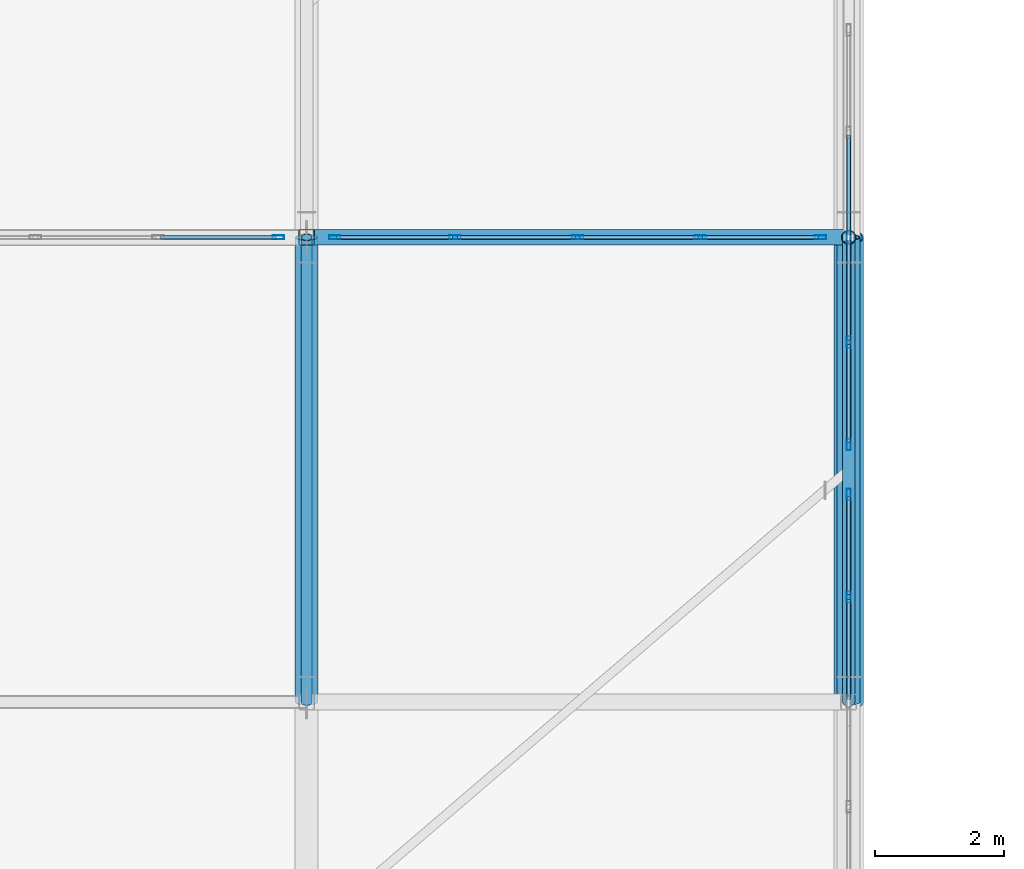
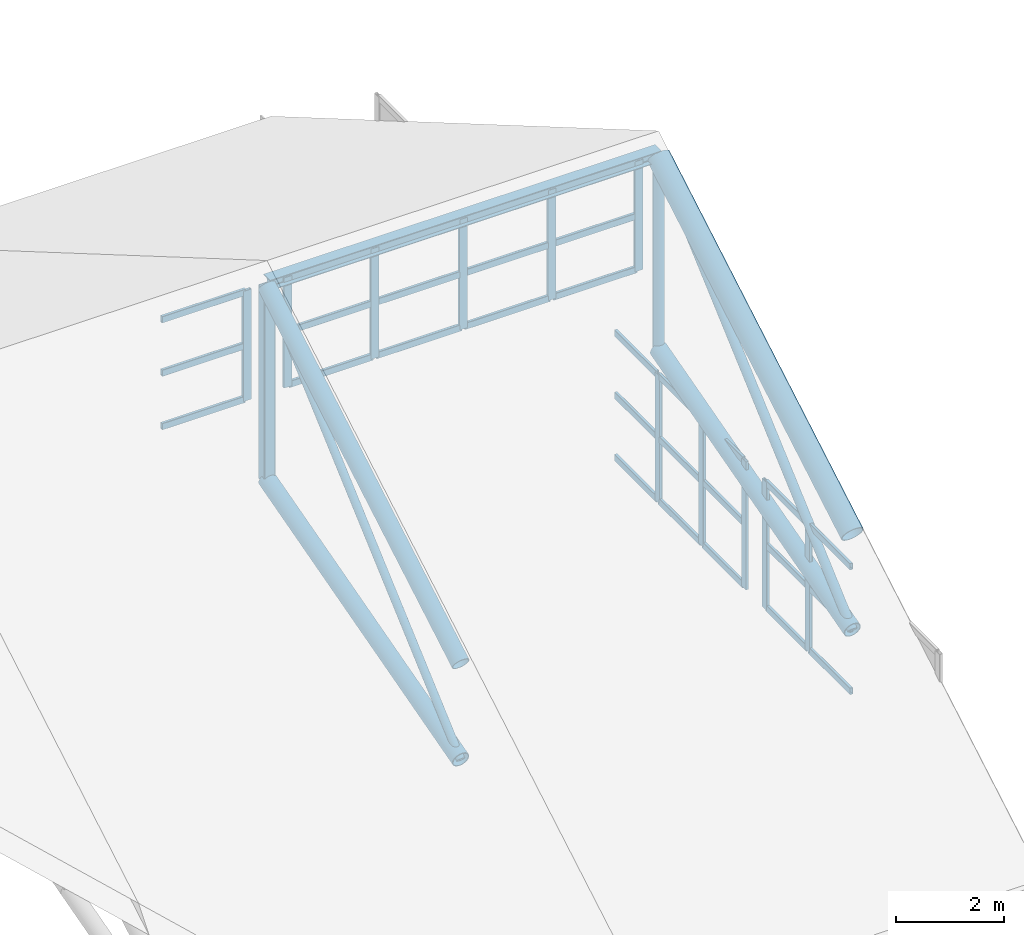
# One storey, part 22 of 54: 50 members, 4 elements without a shape of their own.
"""IFC4 building model written with IfcOpenShell, lengths in metres."""

from ifc_helpers import new_model, si_unit, direction, frame, origin, origin_2d, place, context, subcontext, project, spatial, hollow_rectangle, hollow_circle, i_section, extrude, material, layer, layer_set, material_profile, profile_set, type_object, element, aggregate, save


model = new_model("IFC4")

# Units and contexts
model_context = context("Model", 3, precision=1e-05, world=origin(), true_north=direction((0.0, 1.0)))
body_context = subcontext(model_context, "Body", "Model", "MODEL_VIEW")
ifc_project = project(units=[si_unit("LENGTHUNIT", "METRE"), si_unit("AREAUNIT", "SQUARE_METRE"), si_unit("VOLUMEUNIT", "CUBIC_METRE"), si_unit("PLANEANGLEUNIT", "RADIAN"), si_unit("MASSUNIT", "GRAM", prefix="KILO")], contexts=[model_context])

# Site, building, storey
site_placement = place(None, origin())
site = spatial("IfcSite", under=ifc_project, at=site_placement, CompositionType="ELEMENT")
building_placement = place(site_placement, origin())
building = spatial("IfcBuilding", under=site, at=building_placement, Name="Zulmaris Art Gallery", CompositionType="ELEMENT")
storey_placement = place(building_placement, frame((0.0, 0.0, 26.39990234375)))
storey = spatial("IfcBuildingStorey", under=building, at=storey_placement, Name="L05", CompositionType="ELEMENT", Elevation=26.39990234375)

# Curtain wall, members
ifc_material_1 = material(Name="Pitched Roof North-Light Clerestory Wall", Category="aluminium")
ifc_layer = layer(ifc_material_1, 0.179931640625)
ifc_layer_set = layer_set([ifc_layer], Name="Pitched Roof North-Light Clerestory Wall")
curtain_wall_type = type_object("IfcCurtainWallType", Name="CW-CW05", PredefinedType="NOTDEFINED", material=ifc_layer_set)
curtain_wall_1_placement = place(storey_placement, origin())
curtain_wall_1 = element("IfcCurtainWall", 1, at=curtain_wall_1_placement, inside=storey, type_object=curtain_wall_type, Name="L05 curtain wall 41", PredefinedType="NOTDEFINED")
ifc_material_2 = material(Name="Anodised Bronze Aluminium", Category="aluminium")
ifc_material_profile_1 = material_profile(ifc_material_2, hollow_rectangle(XDim=0.06494140625, YDim=0.179931640625, WallThickness=0.00390625, InnerFilletRadius=0.006103515625, OuterFilletRadius=0.010009765625, at=origin_2d()), Name="ALU 65x180x4")
ifc_profile_set_1 = profile_set([ifc_material_profile_1], Name="Anodised Bronze Aluminium")
member_type_1 = type_object("IfcMemberType", Name="CWMUL-01", PredefinedType="MULLION", material=ifc_profile_set_1)
member_1_placement = place(storey_placement, frame((82.800048828125, 30.425048828125, 0.0), z_axis=(0.0, 0.0, 1.0), x_axis=(-1.0, 0.0, 0.0)))
member_1 = element("IfcMember", 2, at=member_1_placement, type_object=member_type_1, Name="CW05 mullion 4", PredefinedType="MULLION", context=body_context, shape_type="SweptSolid", body=[
    extrude(hollow_rectangle(XDim=0.06494140625, YDim=0.179931640625, WallThickness=0.00390625, InnerFilletRadius=0.006103515625, OuterFilletRadius=0.010009765625, at=origin_2d()), origin(), (0.0, 0.0, 1.0), 2.900146484375),
])
member_2_placement = place(storey_placement, frame((82.800048828125, 32.012451171875, 0.0), z_axis=(0.0, 0.0, 1.0), x_axis=(-1.0, 0.0, 0.0)))
member_2 = element("IfcMember", 3, at=member_2_placement, type_object=member_type_1, Name="CW05 mullion 5", PredefinedType="MULLION", context=body_context, shape_type="SweptSolid", body=[
    extrude(hollow_rectangle(XDim=0.06494140625, YDim=0.179931640625, WallThickness=0.00390625, InnerFilletRadius=0.006103515625, OuterFilletRadius=0.010009765625, at=origin_2d()), origin(), (0.0, 0.0, 1.0), 2.900146484375),
])

curtain_wall_2_placement = place(storey_placement, origin())
curtain_wall_2 = element("IfcCurtainWall", 4, at=curtain_wall_2_placement, inside=storey, type_object=curtain_wall_type, Name="L05 curtain wall 42", PredefinedType="NOTDEFINED")
member_3_placement = place(storey_placement, frame((82.800048828125, 32.78759765625, 0.0), z_axis=(0.0, 0.0, 1.0), x_axis=(-1.0, 0.0, 0.0)))
member_3 = element("IfcMember", 5, at=member_3_placement, type_object=member_type_1, Name="CW05 mullion 1", PredefinedType="MULLION", context=body_context, shape_type="SweptSolid", body=[
    extrude(hollow_rectangle(XDim=0.06494140625, YDim=0.179931640625, WallThickness=0.00390625, InnerFilletRadius=0.006103515625, OuterFilletRadius=0.010009765625, at=origin_2d()), origin(), (0.0, 0.0, 1.0), 2.900146484375),
])
member_4_placement = place(storey_placement, frame((82.800048828125, 34.375, 0.0), z_axis=(0.0, 0.0, 1.0), x_axis=(-1.0, 0.0, 0.0)))
member_4 = element("IfcMember", 6, at=member_4_placement, type_object=member_type_1, Name="CW05 mullion 2", PredefinedType="MULLION", context=body_context, shape_type="SweptSolid", body=[
    extrude(hollow_rectangle(XDim=0.06494140625, YDim=0.179931640625, WallThickness=0.00390625, InnerFilletRadius=0.006103515625, OuterFilletRadius=0.010009765625, at=origin_2d()), origin(), (0.0, 0.0, 1.0), 2.900146484375),
])
member_5_placement = place(storey_placement, frame((82.800048828125, 36.0, 0.0), z_axis=(0.0, 0.0, 1.0), x_axis=(-1.0, 0.0, 0.0)))
member_5 = element("IfcMember", 7, at=member_5_placement, type_object=member_type_1, Name="CW05 mullion 3", PredefinedType="MULLION", context=body_context, shape_type="SweptSolid", body=[
    extrude(hollow_rectangle(XDim=0.06494140625, YDim=0.179931640625, WallThickness=0.00390625, InnerFilletRadius=0.006103515625, OuterFilletRadius=0.010009765625, at=origin_2d()), origin(), (0.0, 0.0, 1.0), 2.900146484375),
])

# Curtain wall, member
curtain_wall_3_placement = place(storey_placement, origin())
curtain_wall_3 = element("IfcCurtainWall", 8, at=curtain_wall_3_placement, inside=storey, type_object=curtain_wall_type, Name="L05 curtain wall 50", PredefinedType="NOTDEFINED")
member_6_placement = place(storey_placement, frame((73.96240234375, 36.0, 5.400146484375), z_axis=(0.0, 0.0, 1.0), x_axis=(0.0, 1.0, 0.0)))
member_6 = element("IfcMember", 9, at=member_6_placement, type_object=member_type_1, Name="CW05 mullion 5", PredefinedType="MULLION", context=body_context, shape_type="SweptSolid", body=[
    extrude(hollow_rectangle(XDim=0.06494140625, YDim=0.179931640625, WallThickness=0.00390625, InnerFilletRadius=0.006103515625, OuterFilletRadius=0.010009765625, at=origin_2d()), origin(), (0.0, 0.0, 1.0), 2.5),
])

# Curtain wall, members
curtain_wall_4_placement = place(storey_placement, origin())
curtain_wall_4 = element("IfcCurtainWall", 10, at=curtain_wall_4_placement, inside=storey, type_object=curtain_wall_type, Name="L05 curtain wall 51", PredefinedType="NOTDEFINED")
member_7_placement = place(storey_placement, frame((74.83740234375, 36.0, 5.400146484375), z_axis=(0.0, 0.0, 1.0), x_axis=(0.0, 1.0, 0.0)))
member_7 = element("IfcMember", 11, at=member_7_placement, type_object=member_type_1, Name="CW05 mullion 1", PredefinedType="MULLION", context=body_context, shape_type="SweptSolid", body=[
    extrude(hollow_rectangle(XDim=0.06494140625, YDim=0.179931640625, WallThickness=0.00390625, InnerFilletRadius=0.006103515625, OuterFilletRadius=0.010009765625, at=origin_2d()), origin(), (0.0, 0.0, 1.0), 2.5),
])
member_8_placement = place(storey_placement, frame((76.699951171875, 36.0, 5.400146484375), z_axis=(0.0, 0.0, 1.0), x_axis=(0.0, 1.0, 0.0)))
member_8 = element("IfcMember", 12, at=member_8_placement, type_object=member_type_1, Name="CW05 mullion 2", PredefinedType="MULLION", context=body_context, shape_type="SweptSolid", body=[
    extrude(hollow_rectangle(XDim=0.06494140625, YDim=0.179931640625, WallThickness=0.00390625, InnerFilletRadius=0.006103515625, OuterFilletRadius=0.010009765625, at=origin_2d()), origin(), (0.0, 0.0, 1.0), 2.5),
])
member_9_placement = place(storey_placement, frame((78.60009765625, 36.0, 5.400146484375), z_axis=(0.0, 0.0, 1.0), x_axis=(0.0, 1.0, 0.0)))
member_9 = element("IfcMember", 13, at=member_9_placement, type_object=member_type_1, Name="CW05 mullion 3", PredefinedType="MULLION", context=body_context, shape_type="SweptSolid", body=[
    extrude(hollow_rectangle(XDim=0.06494140625, YDim=0.179931640625, WallThickness=0.00390625, InnerFilletRadius=0.006103515625, OuterFilletRadius=0.010009765625, at=origin_2d()), origin(), (0.0, 0.0, 1.0), 2.5),
])
member_10_placement = place(storey_placement, frame((80.5, 36.0, 5.400146484375), z_axis=(0.0, 0.0, 1.0), x_axis=(0.0, 1.0, 0.0)))
member_10 = element("IfcMember", 14, at=member_10_placement, type_object=member_type_1, Name="CW05 mullion 4", PredefinedType="MULLION", context=body_context, shape_type="SweptSolid", body=[
    extrude(hollow_rectangle(XDim=0.06494140625, YDim=0.179931640625, WallThickness=0.00390625, InnerFilletRadius=0.006103515625, OuterFilletRadius=0.010009765625, at=origin_2d()), origin(), (0.0, 0.0, 1.0), 2.5),
])
member_11_placement = place(storey_placement, frame((82.362548828125, 36.0, 5.400146484375), z_axis=(0.0, 0.0, 1.0), x_axis=(0.0, 1.0, 0.0)))
member_11 = element("IfcMember", 15, at=member_11_placement, type_object=member_type_1, Name="CW05 mullion 5", PredefinedType="MULLION", context=body_context, shape_type="SweptSolid", body=[
    extrude(hollow_rectangle(XDim=0.06494140625, YDim=0.179931640625, WallThickness=0.00390625, InnerFilletRadius=0.006103515625, OuterFilletRadius=0.010009765625, at=origin_2d()), origin(), (0.0, 0.0, 1.0), 2.5),
])

# Member
ifc_material_profile_2 = material_profile(ifc_material_2, hollow_rectangle(XDim=0.06494140625, YDim=0.14990234375, WallThickness=0.00390625, InnerFilletRadius=0.006103515625, OuterFilletRadius=0.010009765625, at=origin_2d()), Name="ALU 65x150x4")
ifc_profile_set_2 = profile_set([ifc_material_profile_2], Name="Anodised Bronze Aluminium")
member_type_2 = type_object("IfcMemberType", Name="CWTRN-01", PredefinedType="USERDEFINED", material=ifc_profile_set_2)
member_12_placement = place(storey_placement, frame((82.800048828125, 28.83740234375, 0.03759765625), z_axis=(0.0, 1.0, 0.0), x_axis=(-1.0, 0.0, 0.0)))
member_12 = element("IfcMember", 16, at=member_12_placement, type_object=member_type_2, Name="CW05 transom 3.1", ObjectType="TRANSOM", PredefinedType="USERDEFINED", context=body_context, shape_type="SweptSolid", body=[
    extrude(hollow_rectangle(XDim=0.06494140625, YDim=0.14990234375, WallThickness=0.00390625, InnerFilletRadius=0.006103515625, OuterFilletRadius=0.010009765625, at=origin_2d()), origin(), (0.0, 0.0, 1.0), 1.550048828125),
])

member_13_placement = place(storey_placement, frame((82.800048828125, 28.83740234375, 1.4501953125), z_axis=(0.0, 1.0, 0.0), x_axis=(-1.0, 0.0, 0.0)))
member_13 = element("IfcMember", 17, at=member_13_placement, type_object=member_type_2, Name="CW05 transom 3.2", ObjectType="TRANSOM", PredefinedType="USERDEFINED", context=body_context, shape_type="SweptSolid", body=[
    extrude(hollow_rectangle(XDim=0.06494140625, YDim=0.14990234375, WallThickness=0.00390625, InnerFilletRadius=0.006103515625, OuterFilletRadius=0.010009765625, at=origin_2d()), origin(), (0.0, 0.0, 1.0), 1.550048828125),
])

member_14_placement = place(storey_placement, frame((82.800048828125, 28.83740234375, 2.862548828125), z_axis=(0.0, 1.0, 0.0), x_axis=(-1.0, 0.0, 0.0)))
member_14 = element("IfcMember", 18, at=member_14_placement, type_object=member_type_2, Name="CW05 transom 3.3", ObjectType="TRANSOM", PredefinedType="USERDEFINED", context=body_context, shape_type="SweptSolid", body=[
    extrude(hollow_rectangle(XDim=0.06494140625, YDim=0.14990234375, WallThickness=0.00390625, InnerFilletRadius=0.006103515625, OuterFilletRadius=0.010009765625, at=origin_2d()), origin(), (0.0, 0.0, 1.0), 1.550048828125),
])

member_15_placement = place(storey_placement, frame((82.800048828125, 30.46240234375, 0.03759765625), z_axis=(0.0, 1.0, 0.0), x_axis=(-1.0, 0.0, 0.0)))
member_15 = element("IfcMember", 19, at=member_15_placement, type_object=member_type_2, Name="CW05 transom 4.1", ObjectType="TRANSOM", PredefinedType="USERDEFINED", context=body_context, shape_type="SweptSolid", body=[
    extrude(hollow_rectangle(XDim=0.06494140625, YDim=0.14990234375, WallThickness=0.00390625, InnerFilletRadius=0.006103515625, OuterFilletRadius=0.010009765625, at=origin_2d()), origin(), (0.0, 0.0, 1.0), 1.5126953125),
])

member_16_placement = place(storey_placement, frame((82.800048828125, 30.46240234375, 1.4501953125), z_axis=(0.0, 1.0, 0.0), x_axis=(-1.0, 0.0, 0.0)))
member_16 = element("IfcMember", 20, at=member_16_placement, type_object=member_type_2, Name="CW05 transom 4.2", ObjectType="TRANSOM", PredefinedType="USERDEFINED", context=body_context, shape_type="SweptSolid", body=[
    extrude(hollow_rectangle(XDim=0.06494140625, YDim=0.14990234375, WallThickness=0.00390625, InnerFilletRadius=0.006103515625, OuterFilletRadius=0.010009765625, at=origin_2d()), origin(), (0.0, 0.0, 1.0), 1.5126953125),
])

member_17_placement = place(storey_placement, frame((82.800048828125, 30.46240234375, 2.862548828125), z_axis=(0.0, 1.0, 0.0), x_axis=(-1.0, 0.0, 0.0)))
member_17 = element("IfcMember", 21, at=member_17_placement, type_object=member_type_2, Name="CW05 transom 4.3", ObjectType="TRANSOM", PredefinedType="USERDEFINED", context=body_context, shape_type="SweptSolid", body=[
    extrude(hollow_rectangle(XDim=0.06494140625, YDim=0.14990234375, WallThickness=0.00390625, InnerFilletRadius=0.006103515625, OuterFilletRadius=0.010009765625, at=origin_2d()), origin(), (0.0, 0.0, 1.0), 1.5126953125),
])

aggregate(curtain_wall_1, [member_1, member_2, member_12, member_13, member_14, member_15, member_16, member_17])

member_18_placement = place(storey_placement, frame((82.800048828125, 32.824951171875, 0.03759765625), z_axis=(0.0, 1.0, 0.0), x_axis=(-1.0, 0.0, 0.0)))
member_18 = element("IfcMember", 22, at=member_18_placement, type_object=member_type_2, Name="CW05 transom 1.1", ObjectType="TRANSOM", PredefinedType="USERDEFINED", context=body_context, shape_type="SweptSolid", body=[
    extrude(hollow_rectangle(XDim=0.06494140625, YDim=0.14990234375, WallThickness=0.00390625, InnerFilletRadius=0.006103515625, OuterFilletRadius=0.010009765625, at=origin_2d()), origin(), (0.0, 0.0, 1.0), 1.512451171875),
])

member_19_placement = place(storey_placement, frame((82.800048828125, 32.824951171875, 1.4501953125), z_axis=(0.0, 1.0, 0.0), x_axis=(-1.0, 0.0, 0.0)))
member_19 = element("IfcMember", 23, at=member_19_placement, type_object=member_type_2, Name="CW05 transom 1.2", ObjectType="TRANSOM", PredefinedType="USERDEFINED", context=body_context, shape_type="SweptSolid", body=[
    extrude(hollow_rectangle(XDim=0.06494140625, YDim=0.14990234375, WallThickness=0.00390625, InnerFilletRadius=0.006103515625, OuterFilletRadius=0.010009765625, at=origin_2d()), origin(), (0.0, 0.0, 1.0), 1.512451171875),
])

member_20_placement = place(storey_placement, frame((82.800048828125, 32.824951171875, 2.862548828125), z_axis=(0.0, 1.0, 0.0), x_axis=(-1.0, 0.0, 0.0)))
member_20 = element("IfcMember", 24, at=member_20_placement, type_object=member_type_2, Name="CW05 transom 1.3", ObjectType="TRANSOM", PredefinedType="USERDEFINED", context=body_context, shape_type="SweptSolid", body=[
    extrude(hollow_rectangle(XDim=0.06494140625, YDim=0.14990234375, WallThickness=0.00390625, InnerFilletRadius=0.006103515625, OuterFilletRadius=0.010009765625, at=origin_2d()), origin(), (0.0, 0.0, 1.0), 1.512451171875),
])

member_21_placement = place(storey_placement, frame((82.800048828125, 34.41259765625, 0.03759765625), z_axis=(0.0, 1.0, 0.0), x_axis=(-1.0, 0.0, 0.0)))
member_21 = element("IfcMember", 25, at=member_21_placement, type_object=member_type_2, Name="CW05 transom 2.1", ObjectType="TRANSOM", PredefinedType="USERDEFINED", context=body_context, shape_type="SweptSolid", body=[
    extrude(hollow_rectangle(XDim=0.06494140625, YDim=0.14990234375, WallThickness=0.00390625, InnerFilletRadius=0.006103515625, OuterFilletRadius=0.010009765625, at=origin_2d()), origin(), (0.0, 0.0, 1.0), 1.5498046875),
])

member_22_placement = place(storey_placement, frame((82.800048828125, 34.41259765625, 1.4501953125), z_axis=(0.0, 1.0, 0.0), x_axis=(-1.0, 0.0, 0.0)))
member_22 = element("IfcMember", 26, at=member_22_placement, type_object=member_type_2, Name="CW05 transom 2.2", ObjectType="TRANSOM", PredefinedType="USERDEFINED", context=body_context, shape_type="SweptSolid", body=[
    extrude(hollow_rectangle(XDim=0.06494140625, YDim=0.14990234375, WallThickness=0.00390625, InnerFilletRadius=0.006103515625, OuterFilletRadius=0.010009765625, at=origin_2d()), origin(), (0.0, 0.0, 1.0), 1.5498046875),
])

member_23_placement = place(storey_placement, frame((82.800048828125, 34.41259765625, 2.862548828125), z_axis=(0.0, 1.0, 0.0), x_axis=(-1.0, 0.0, 0.0)))
member_23 = element("IfcMember", 27, at=member_23_placement, type_object=member_type_2, Name="CW05 transom 2.3", ObjectType="TRANSOM", PredefinedType="USERDEFINED", context=body_context, shape_type="SweptSolid", body=[
    extrude(hollow_rectangle(XDim=0.06494140625, YDim=0.14990234375, WallThickness=0.00390625, InnerFilletRadius=0.006103515625, OuterFilletRadius=0.010009765625, at=origin_2d()), origin(), (0.0, 0.0, 1.0), 1.5498046875),
])

member_24_placement = place(storey_placement, frame((82.800048828125, 36.03759765625, 0.03759765625), z_axis=(0.0, 1.0, 0.0), x_axis=(-1.0, 0.0, 0.0)))
member_24 = element("IfcMember", 28, at=member_24_placement, type_object=member_type_2, Name="CW05 transom 3.1", ObjectType="TRANSOM", PredefinedType="USERDEFINED", context=body_context, shape_type="SweptSolid", body=[
    extrude(hollow_rectangle(XDim=0.06494140625, YDim=0.14990234375, WallThickness=0.00390625, InnerFilletRadius=0.006103515625, OuterFilletRadius=0.010009765625, at=origin_2d()), origin(), (0.0, 0.0, 1.0), 1.5498046875),
])

member_25_placement = place(storey_placement, frame((82.800048828125, 36.03759765625, 1.4501953125), z_axis=(0.0, 1.0, 0.0), x_axis=(-1.0, 0.0, 0.0)))
member_25 = element("IfcMember", 29, at=member_25_placement, type_object=member_type_2, Name="CW05 transom 3.2", ObjectType="TRANSOM", PredefinedType="USERDEFINED", context=body_context, shape_type="SweptSolid", body=[
    extrude(hollow_rectangle(XDim=0.06494140625, YDim=0.14990234375, WallThickness=0.00390625, InnerFilletRadius=0.006103515625, OuterFilletRadius=0.010009765625, at=origin_2d()), origin(), (0.0, 0.0, 1.0), 1.5498046875),
])

member_26_placement = place(storey_placement, frame((82.800048828125, 36.03759765625, 2.862548828125), z_axis=(0.0, 1.0, 0.0), x_axis=(-1.0, 0.0, 0.0)))
member_26 = element("IfcMember", 30, at=member_26_placement, type_object=member_type_2, Name="CW05 transom 3.3", ObjectType="TRANSOM", PredefinedType="USERDEFINED", context=body_context, shape_type="SweptSolid", body=[
    extrude(hollow_rectangle(XDim=0.06494140625, YDim=0.14990234375, WallThickness=0.00390625, InnerFilletRadius=0.006103515625, OuterFilletRadius=0.010009765625, at=origin_2d()), origin(), (0.0, 0.0, 1.0), 1.5498046875),
])

aggregate(curtain_wall_2, [member_3, member_4, member_5, member_18, member_19, member_20, member_21, member_22, member_23, member_24, member_25, member_26])

member_27_placement = place(storey_placement, frame((72.137451171875, 36.0, 5.4375), z_axis=(1.0, 0.0, 0.0), x_axis=(0.0, 1.0, 0.0)))
member_27 = element("IfcMember", 31, at=member_27_placement, type_object=member_type_2, Name="CW05 transom 4.1", ObjectType="TRANSOM", PredefinedType="USERDEFINED", context=body_context, shape_type="SweptSolid", body=[
    extrude(hollow_rectangle(XDim=0.06494140625, YDim=0.14990234375, WallThickness=0.00390625, InnerFilletRadius=0.006103515625, OuterFilletRadius=0.010009765625, at=origin_2d()), origin(), (0.0, 0.0, 1.0), 1.78759765625),
])

member_28_placement = place(storey_placement, frame((72.137451171875, 36.0, 6.650146484375), z_axis=(1.0, 0.0, 0.0), x_axis=(0.0, 1.0, 0.0)))
member_28 = element("IfcMember", 32, at=member_28_placement, type_object=member_type_2, Name="CW05 transom 4.2", ObjectType="TRANSOM", PredefinedType="USERDEFINED", context=body_context, shape_type="SweptSolid", body=[
    extrude(hollow_rectangle(XDim=0.06494140625, YDim=0.14990234375, WallThickness=0.00390625, InnerFilletRadius=0.006103515625, OuterFilletRadius=0.010009765625, at=origin_2d()), origin(), (0.0, 0.0, 1.0), 1.78759765625),
])

member_29_placement = place(storey_placement, frame((72.137451171875, 36.0, 7.862548828125), z_axis=(1.0, 0.0, 0.0), x_axis=(0.0, 1.0, 0.0)))
member_29 = element("IfcMember", 33, at=member_29_placement, type_object=member_type_2, Name="CW05 transom 4.3", ObjectType="TRANSOM", PredefinedType="USERDEFINED", context=body_context, shape_type="SweptSolid", body=[
    extrude(hollow_rectangle(XDim=0.06494140625, YDim=0.14990234375, WallThickness=0.00390625, InnerFilletRadius=0.006103515625, OuterFilletRadius=0.010009765625, at=origin_2d()), origin(), (0.0, 0.0, 1.0), 1.78759765625),
])

aggregate(curtain_wall_3, [member_6, member_27, member_28, member_29])

member_30_placement = place(storey_placement, frame((74.875, 36.0, 5.4375), z_axis=(1.0, 0.0, 0.0), x_axis=(0.0, 1.0, 0.0)))
member_30 = element("IfcMember", 34, at=member_30_placement, type_object=member_type_2, Name="CW05 transom 1.1", ObjectType="TRANSOM", PredefinedType="USERDEFINED", context=body_context, shape_type="SweptSolid", body=[
    extrude(hollow_rectangle(XDim=0.06494140625, YDim=0.14990234375, WallThickness=0.00390625, InnerFilletRadius=0.006103515625, OuterFilletRadius=0.010009765625, at=origin_2d()), origin(), (0.0, 0.0, 1.0), 1.78759765625),
])

member_31_placement = place(storey_placement, frame((74.875, 36.0, 6.650146484375), z_axis=(1.0, 0.0, 0.0), x_axis=(0.0, 1.0, 0.0)))
member_31 = element("IfcMember", 35, at=member_31_placement, type_object=member_type_2, Name="CW05 transom 1.2", ObjectType="TRANSOM", PredefinedType="USERDEFINED", context=body_context, shape_type="SweptSolid", body=[
    extrude(hollow_rectangle(XDim=0.06494140625, YDim=0.14990234375, WallThickness=0.00390625, InnerFilletRadius=0.006103515625, OuterFilletRadius=0.010009765625, at=origin_2d()), origin(), (0.0, 0.0, 1.0), 1.78759765625),
])

member_32_placement = place(storey_placement, frame((74.875, 36.0, 7.862548828125), z_axis=(1.0, 0.0, 0.0), x_axis=(0.0, 1.0, 0.0)))
member_32 = element("IfcMember", 36, at=member_32_placement, type_object=member_type_2, Name="CW05 transom 1.3", ObjectType="TRANSOM", PredefinedType="USERDEFINED", context=body_context, shape_type="SweptSolid", body=[
    extrude(hollow_rectangle(XDim=0.06494140625, YDim=0.14990234375, WallThickness=0.00390625, InnerFilletRadius=0.006103515625, OuterFilletRadius=0.010009765625, at=origin_2d()), origin(), (0.0, 0.0, 1.0), 1.78759765625),
])

member_33_placement = place(storey_placement, frame((76.737548828125, 36.0, 5.4375), z_axis=(1.0, 0.0, 0.0), x_axis=(0.0, 1.0, 0.0)))
member_33 = element("IfcMember", 37, at=member_33_placement, type_object=member_type_2, Name="CW05 transom 2.1", ObjectType="TRANSOM", PredefinedType="USERDEFINED", context=body_context, shape_type="SweptSolid", body=[
    extrude(hollow_rectangle(XDim=0.06494140625, YDim=0.14990234375, WallThickness=0.00390625, InnerFilletRadius=0.006103515625, OuterFilletRadius=0.010009765625, at=origin_2d()), origin(), (0.0, 0.0, 1.0), 1.824951171875),
])

member_34_placement = place(storey_placement, frame((76.737548828125, 36.0, 6.650146484375), z_axis=(1.0, 0.0, 0.0), x_axis=(0.0, 1.0, 0.0)))
member_34 = element("IfcMember", 38, at=member_34_placement, type_object=member_type_2, Name="CW05 transom 2.2", ObjectType="TRANSOM", PredefinedType="USERDEFINED", context=body_context, shape_type="SweptSolid", body=[
    extrude(hollow_rectangle(XDim=0.06494140625, YDim=0.14990234375, WallThickness=0.00390625, InnerFilletRadius=0.006103515625, OuterFilletRadius=0.010009765625, at=origin_2d()), origin(), (0.0, 0.0, 1.0), 1.824951171875),
])

member_35_placement = place(storey_placement, frame((76.737548828125, 36.0, 7.862548828125), z_axis=(1.0, 0.0, 0.0), x_axis=(0.0, 1.0, 0.0)))
member_35 = element("IfcMember", 39, at=member_35_placement, type_object=member_type_2, Name="CW05 transom 2.3", ObjectType="TRANSOM", PredefinedType="USERDEFINED", context=body_context, shape_type="SweptSolid", body=[
    extrude(hollow_rectangle(XDim=0.06494140625, YDim=0.14990234375, WallThickness=0.00390625, InnerFilletRadius=0.006103515625, OuterFilletRadius=0.010009765625, at=origin_2d()), origin(), (0.0, 0.0, 1.0), 1.824951171875),
])

member_36_placement = place(storey_placement, frame((78.637451171875, 36.0, 5.4375), z_axis=(1.0, 0.0, 0.0), x_axis=(0.0, 1.0, 0.0)))
member_36 = element("IfcMember", 40, at=member_36_placement, type_object=member_type_2, Name="CW05 transom 3.1", ObjectType="TRANSOM", PredefinedType="USERDEFINED", context=body_context, shape_type="SweptSolid", body=[
    extrude(hollow_rectangle(XDim=0.06494140625, YDim=0.14990234375, WallThickness=0.00390625, InnerFilletRadius=0.006103515625, OuterFilletRadius=0.010009765625, at=origin_2d()), origin(), (0.0, 0.0, 1.0), 1.824951171875),
])

member_37_placement = place(storey_placement, frame((78.637451171875, 36.0, 6.650146484375), z_axis=(1.0, 0.0, 0.0), x_axis=(0.0, 1.0, 0.0)))
member_37 = element("IfcMember", 41, at=member_37_placement, type_object=member_type_2, Name="CW05 transom 3.2", ObjectType="TRANSOM", PredefinedType="USERDEFINED", context=body_context, shape_type="SweptSolid", body=[
    extrude(hollow_rectangle(XDim=0.06494140625, YDim=0.14990234375, WallThickness=0.00390625, InnerFilletRadius=0.006103515625, OuterFilletRadius=0.010009765625, at=origin_2d()), origin(), (0.0, 0.0, 1.0), 1.824951171875),
])

member_38_placement = place(storey_placement, frame((78.637451171875, 36.0, 7.862548828125), z_axis=(1.0, 0.0, 0.0), x_axis=(0.0, 1.0, 0.0)))
member_38 = element("IfcMember", 42, at=member_38_placement, type_object=member_type_2, Name="CW05 transom 3.3", ObjectType="TRANSOM", PredefinedType="USERDEFINED", context=body_context, shape_type="SweptSolid", body=[
    extrude(hollow_rectangle(XDim=0.06494140625, YDim=0.14990234375, WallThickness=0.00390625, InnerFilletRadius=0.006103515625, OuterFilletRadius=0.010009765625, at=origin_2d()), origin(), (0.0, 0.0, 1.0), 1.824951171875),
])

member_39_placement = place(storey_placement, frame((80.53759765625, 36.0, 5.4375), z_axis=(1.0, 0.0, 0.0), x_axis=(0.0, 1.0, 0.0)))
member_39 = element("IfcMember", 43, at=member_39_placement, type_object=member_type_2, Name="CW05 transom 4.1", ObjectType="TRANSOM", PredefinedType="USERDEFINED", context=body_context, shape_type="SweptSolid", body=[
    extrude(hollow_rectangle(XDim=0.06494140625, YDim=0.14990234375, WallThickness=0.00390625, InnerFilletRadius=0.006103515625, OuterFilletRadius=0.010009765625, at=origin_2d()), origin(), (0.0, 0.0, 1.0), 1.787353515625),
])

member_40_placement = place(storey_placement, frame((80.53759765625, 36.0, 6.650146484375), z_axis=(1.0, 0.0, 0.0), x_axis=(0.0, 1.0, 0.0)))
member_40 = element("IfcMember", 44, at=member_40_placement, type_object=member_type_2, Name="CW05 transom 4.2", ObjectType="TRANSOM", PredefinedType="USERDEFINED", context=body_context, shape_type="SweptSolid", body=[
    extrude(hollow_rectangle(XDim=0.06494140625, YDim=0.14990234375, WallThickness=0.00390625, InnerFilletRadius=0.006103515625, OuterFilletRadius=0.010009765625, at=origin_2d()), origin(), (0.0, 0.0, 1.0), 1.787353515625),
])

member_41_placement = place(storey_placement, frame((80.53759765625, 36.0, 7.862548828125), z_axis=(1.0, 0.0, 0.0), x_axis=(0.0, 1.0, 0.0)))
member_41 = element("IfcMember", 45, at=member_41_placement, type_object=member_type_2, Name="CW05 transom 4.3", ObjectType="TRANSOM", PredefinedType="USERDEFINED", context=body_context, shape_type="SweptSolid", body=[
    extrude(hollow_rectangle(XDim=0.06494140625, YDim=0.14990234375, WallThickness=0.00390625, InnerFilletRadius=0.006103515625, OuterFilletRadius=0.010009765625, at=origin_2d()), origin(), (0.0, 0.0, 1.0), 1.787353515625),
])

aggregate(curtain_wall_4, [member_7, member_8, member_9, member_10, member_11, member_30, member_31, member_32, member_33, member_34, member_35, member_36, member_37, member_38, member_39, member_40, member_41])

# Members
ifc_material_3 = material(Name="Steel S355J2", Category="steel")
ifc_material_profile_3 = material_profile(ifc_material_3, i_section(OverallWidth=0.239990234375, OverallDepth=0.239990234375, WebThickness=0.010009765625, FlangeThickness=0.01708984375, FilletRadius=0.02099609375, at=origin_2d()), Name="HEB 240")
ifc_profile_set_3 = profile_set([ifc_material_profile_3], Name="Steel S355J2")
member_type_3 = type_object("IfcMemberType", Name="MEM-PR05", PredefinedType="PURLIN", material=ifc_profile_set_3)
member_42_placement = place(storey_placement, frame((74.39990234375, 36.0, 7.900146484375), z_axis=(1.0, 0.0, 0.0), x_axis=(0.0, 1.0, 0.0)))
element("IfcMember", 46, at=member_42_placement, inside=storey, type_object=member_type_3, Name="Skylight roof purlin bay 9 line 3", PredefinedType="PURLIN", context=body_context, shape_type="SweptSolid", body=[
    extrude(i_section(OverallWidth=0.239990234375, OverallDepth=0.239990234375, WebThickness=0.010009765625, FlangeThickness=0.01708984375, FilletRadius=0.02099609375, at=origin_2d()), origin(), (0.0, 0.0, 1.0), 8.400146484375),
])
ifc_material_4 = material(Name="Steel S355J2H", Category="steel")
ifc_material_profile_4 = material_profile(ifc_material_4, hollow_circle(Radius=0.084228515625, WallThickness=0.008056640625, at=origin_2d()), Name="CHS 168.3x8")
ifc_profile_set_4 = profile_set([ifc_material_profile_4], Name="Steel S355J2H")
member_type_4 = type_object("IfcMemberType", Name="MEM-TB01", PredefinedType="BRACE", material=ifc_profile_set_4)
member_43_placement = place(storey_placement, frame((74.39990234375, 28.800048828125, 1.4501953125), z_axis=(0.0, 0.748961175261, 0.662613883006), x_axis=(-1.0, 0.0, 0.0)))
element("IfcMember", 47, at=member_43_placement, inside=storey, type_object=member_type_4, Name="Pitched gallery truss TR-R09 diagonal 2", PredefinedType="BRACE", context=body_context, shape_type="SweptSolid", body=[
    extrude(hollow_circle(Radius=0.084228515625, WallThickness=0.008056640625, at=origin_2d()), origin(), (0.0, 0.0, 1.0), 9.61328125),
])
ifc_material_profile_5 = material_profile(ifc_material_4, hollow_circle(Radius=0.096923828125, WallThickness=0.010009765625, at=origin_2d()), Name="CHS 193.7x10")
ifc_profile_set_5 = profile_set([ifc_material_profile_5], Name="Steel S355J2H")
member_type_5 = type_object("IfcMemberType", Name="MEM-TB02", PredefinedType="BRACE", material=ifc_profile_set_5)
member_44_placement = place(storey_placement, frame((82.800048828125, 28.800048828125, 1.4501953125), z_axis=(0.0, 0.748961175261, 0.662613883006), x_axis=(-1.0, 0.0, 0.0)))
element("IfcMember", 48, at=member_44_placement, inside=storey, type_object=member_type_5, Name="Pitched gallery truss TR-R10 diagonal 2", PredefinedType="BRACE", context=body_context, shape_type="SweptSolid", body=[
    extrude(hollow_circle(Radius=0.096923828125, WallThickness=0.010009765625, at=origin_2d()), origin(), (0.0, 0.0, 1.0), 9.61328125),
])
ifc_material_profile_6 = material_profile(ifc_material_4, hollow_circle(Radius=0.177734375, WallThickness=0.01611328125, at=origin_2d()), Name="CHS 355.6x16")
ifc_profile_set_6 = profile_set([ifc_material_profile_6], Name="Steel S355J2H")
member_type_6 = type_object("IfcMemberType", Name="MEM-TC01", PredefinedType="CHORD", material=ifc_profile_set_6)
member_45_placement = place(storey_placement, frame((74.39990234375, 28.800048828125, 3.6201171875), z_axis=(0.0, 0.863779963214, 0.503869204407), x_axis=(-1.0, 0.0, 0.0)))
element("IfcMember", 49, at=member_45_placement, inside=storey, type_object=member_type_6, Name="Pitched gallery truss TR-R09 top chord 2", PredefinedType="CHORD", context=body_context, shape_type="SweptSolid", body=[
    extrude(hollow_circle(Radius=0.177734375, WallThickness=0.01611328125, at=origin_2d()), origin(), (0.0, 0.0, 1.0), 8.33544921875),
])
for number, where, z_axis, x_axis, name in (
    (50, (74.39990234375, 28.800048828125, 1.4501953125), (0.0, 0.963517441554, 0.267645548853), (-1.0, 0.0, 0.0), "Pitched gallery truss TR-R09 bottom chord 2"),
    (51, (82.800048828125, 28.800048828125, 1.4501953125), (0.0, 0.963517441554, 0.267645548853), (-1.0, 0.0, 0.0), "Pitched gallery truss TR-R10 bottom chord 2"),
):
    element("IfcMember", number, at=place(storey_placement, frame(where, z_axis=z_axis, x_axis=x_axis)), inside=storey, type_object=member_type_6, Name=name, PredefinedType="CHORD", context=body_context, shape_type="SweptSolid", body=[
        extrude(hollow_circle(Radius=0.177734375, WallThickness=0.01611328125, at=origin_2d()), origin(), (0.0, 0.0, 1.0), 7.47265625),
    ])
ifc_material_profile_7 = material_profile(ifc_material_4, hollow_circle(Radius=0.228515625, WallThickness=0.02001953125, at=origin_2d()), Name="CHS 457x20")
ifc_profile_set_7 = profile_set([ifc_material_profile_7], Name="Steel S355J2H")
member_type_7 = type_object("IfcMemberType", Name="MEM-TC03", PredefinedType="CHORD", material=ifc_profile_set_7)
member_46_placement = place(storey_placement, frame((82.800048828125, 28.800048828125, 3.6201171875), z_axis=(0.0, 0.863779963214, 0.503869204407), x_axis=(-1.0, 0.0, 0.0)))
element("IfcMember", 52, at=member_46_placement, inside=storey, type_object=member_type_7, Name="Pitched gallery truss TR-R10 top chord 2", PredefinedType="CHORD", context=body_context, shape_type="SweptSolid", body=[
    extrude(hollow_circle(Radius=0.228515625, WallThickness=0.02001953125, at=origin_2d()), origin(), (0.0, 0.0, 1.0), 8.33544921875),
])
ifc_material_profile_8 = material_profile(ifc_material_4, hollow_circle(Radius=0.109619140625, WallThickness=0.010009765625, at=origin_2d()), Name="CHS 219.1x10")
ifc_profile_set_8 = profile_set([ifc_material_profile_8], Name="Steel S355J2H")
member_type_8 = type_object("IfcMemberType", Name="MEM-TP01", PredefinedType="POST", material=ifc_profile_set_8)
member_47_placement = place(storey_placement, frame((82.800048828125, 36.0, 3.4501953125), z_axis=(0.0, 0.0, 1.0), x_axis=(1.0, 0.0, 0.0)))
element("IfcMember", 53, at=member_47_placement, inside=storey, type_object=member_type_8, Name="Pitched gallery truss TR-R10 web post 3", PredefinedType="POST", context=body_context, shape_type="SweptSolid", body=[
    extrude(hollow_circle(Radius=0.109619140625, WallThickness=0.010009765625, at=origin_2d()), origin(), (0.0, 0.0, 1.0), 4.369873046875),
])
ifc_material_profile_9 = material_profile(ifc_material_4, hollow_rectangle(XDim=0.25, YDim=0.25, WallThickness=0.012451171875, InnerFilletRadius=0.018798828125, OuterFilletRadius=0.03125, at=origin_2d()), Name="SHS 250x250x12.5")
ifc_profile_set_9 = profile_set([ifc_material_profile_9], Name="Steel S355J2H")
member_type_9 = type_object("IfcMemberType", Name="MEM-TP05", PredefinedType="POST", material=ifc_profile_set_9)
member_48_placement = place(storey_placement, frame((74.39990234375, 36.0, 3.4501953125), z_axis=(0.0, 0.0, 1.0), x_axis=(1.0, 0.0, 0.0)))
element("IfcMember", 54, at=member_48_placement, inside=storey, type_object=member_type_9, Name="Pitched gallery truss TR-R09 web post 3", PredefinedType="POST", context=body_context, shape_type="SweptSolid", body=[
    extrude(hollow_rectangle(XDim=0.25, YDim=0.25, WallThickness=0.012451171875, InnerFilletRadius=0.018798828125, OuterFilletRadius=0.03125, at=origin_2d()), origin(), (0.0, 0.0, 1.0), 4.369873046875),
])

save(model, "model.ifc")
